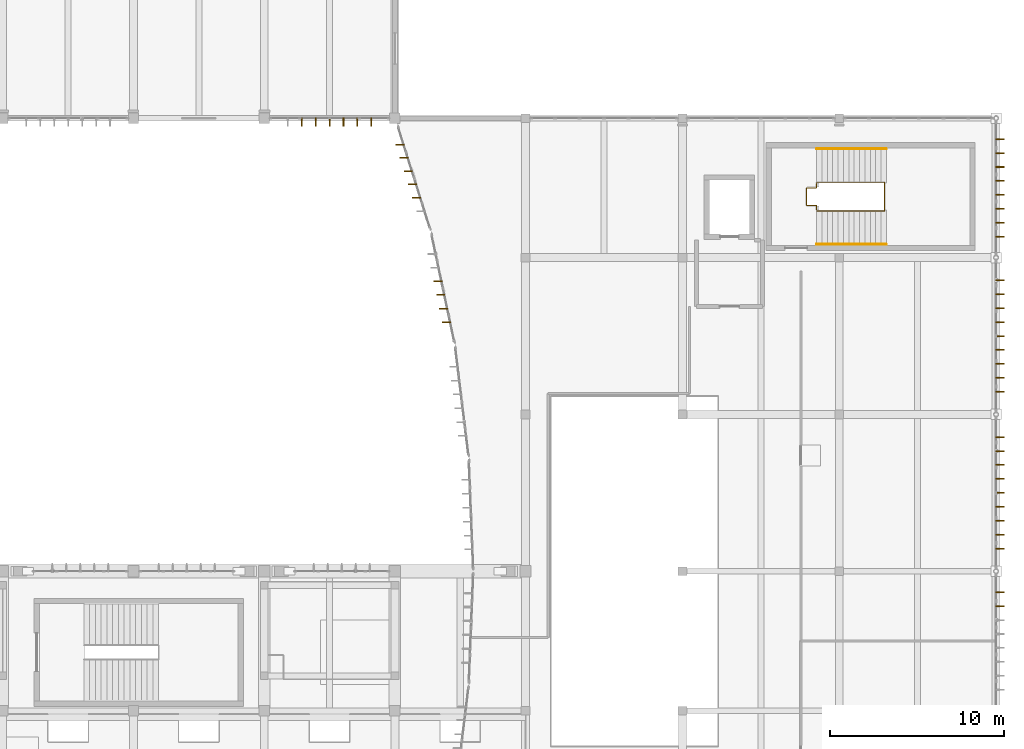
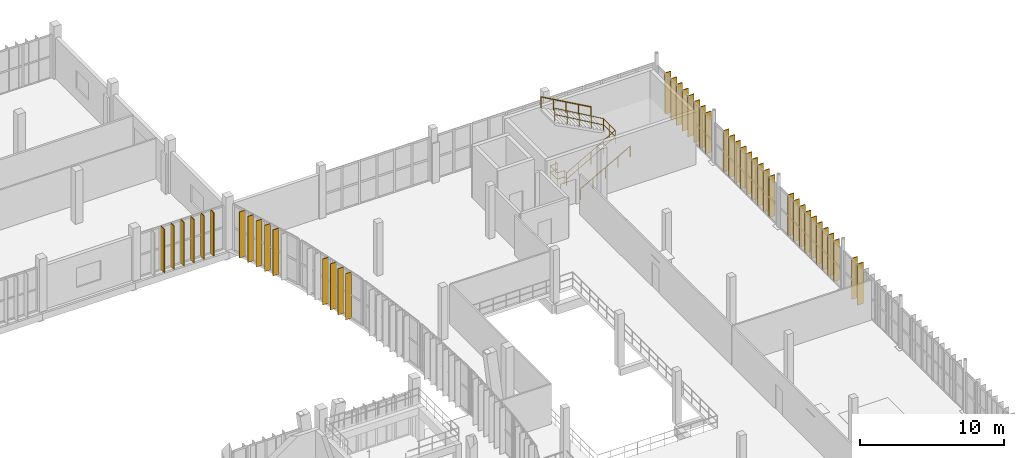
# One storey, part 80 of 81: 43 shading devices, 4 railings.
"""IFC4 building model written with IfcOpenShell, lengths in metres."""

import ifcopenshell
import ifcopenshell.guid

model = None  # the IFC model being written
_history = None  # IfcOwnerHistory: only IFC2X3 demands one
_inside = {}  # id of a spatial element -> (the spatial element, [elements in it])
_under = {}  # id of a project, library or spatial element -> (it, [spatial elements below it])
_declared = {}  # id of a project -> (the project, [libraries it declares])
_typed = {}  # id of a type object -> (the type object, [elements of that type])
_made_of = {}  # id of a material, layer set ... -> (it, [elements and type objects made of it])


def new_model(schema):
    """Start an empty IFC model of exactly this schema.

    Asked for "IFC4X3", IfcOpenShell would pick the latest addendum, in which some entities
    have other attributes; the version numbers below select the first issue.
    IFC2X3 requires an IfcOwnerHistory on every rooted entity: one is made here for all.
    """
    global model, _history
    if schema == "IFC4X3":
        model = ifcopenshell.file(schema_version=(4, 3, 0, 0))
    else:
        model = ifcopenshell.file(schema=schema)
    _inside.clear()
    _under.clear()
    _declared.clear()
    _typed.clear()
    _made_of.clear()
    _history = None
    if model.schema == "IFC2X3":
        org = make("IfcOrganization", Name="unknown")
        user = make(
            "IfcPersonAndOrganization",
            ThePerson=make("IfcPerson", FamilyName="unknown"),
            TheOrganization=org,
        )
        app = make(
            "IfcApplication",
            ApplicationDeveloper=org,
            Version="unknown",
            ApplicationFullName="unknown",
            ApplicationIdentifier="unknown",
        )
        _history = make(
            "IfcOwnerHistory",
            OwningUser=user,
            OwningApplication=app,
            ChangeAction="ADDED",
            CreationDate=0,
        )
    return model


def make(cls, **values):
    """One entity of the class cls with the attributes given. An attribute that is None is left unset."""
    return model.create_entity(
        cls, **{name: value for name, value in values.items() if value is not None}
    )


def rooted(cls, **values):
    """An entity with a GlobalId (a new one), such as an element, a storey or a relation."""
    return make(cls, GlobalId=ifcopenshell.guid.new(), OwnerHistory=_history, **values)


def si_unit(unit_type, name, prefix=None):
    """IfcSIUnit, for example si_unit("LENGTHUNIT", "METRE", prefix="MILLI")."""
    return make("IfcSIUnit", UnitType=unit_type, Prefix=prefix, Name=name)


def assignment(units):
    """IfcUnitAssignment: the units of a project."""
    return None if units is None else make("IfcUnitAssignment", Units=units)


def point(xyz):
    """IfcCartesianPoint."""
    return None if xyz is None else make("IfcCartesianPoint", Coordinates=xyz)


def direction(xyz):
    """IfcDirection."""
    return None if xyz is None else make("IfcDirection", DirectionRatios=xyz)


def frame(location, z_axis=None, x_axis=None):
    """IfcAxis2Placement3D, a coordinate frame: its origin and axes. An axis left out is left unset."""
    return make(
        "IfcAxis2Placement3D",
        Location=point(location),
        Axis=direction(z_axis),
        RefDirection=direction(x_axis),
    )


def frame_2d(location, x_axis=None):
    """IfcAxis2Placement2D, a coordinate frame in the plane: its origin and x axis."""
    return make(
        "IfcAxis2Placement2D", Location=point(location), RefDirection=direction(x_axis)
    )


def origin():
    """The frame at (0, 0, 0) with its axes left unset."""
    return frame((0.0, 0.0, 0.0))


def origin_2d():
    """The frame at (0, 0) in the plane with its x axis left unset."""
    return frame_2d((0.0, 0.0))


def place(relative_to, where):
    """IfcLocalPlacement: puts the frame where relative to a parent placement (None: the world)."""
    return make(
        "IfcLocalPlacement", PlacementRelTo=relative_to, RelativePlacement=where
    )


def context(
    kind, dimensions, precision=None, world=None, true_north=None, identifier=None
):
    """IfcGeometricRepresentationContext, for example the 3D "Model" context."""
    return make(
        "IfcGeometricRepresentationContext",
        ContextIdentifier=identifier,
        ContextType=kind,
        CoordinateSpaceDimension=dimensions,
        Precision=precision,
        WorldCoordinateSystem=world,
        TrueNorth=true_north,
    )


def subcontext(parent, identifier, kind, view, scale=None):
    """IfcGeometricRepresentationSubContext, for example "Body" below "Model"."""
    return make(
        "IfcGeometricRepresentationSubContext",
        ContextIdentifier=identifier,
        ContextType=kind,
        ParentContext=parent,
        TargetScale=scale,
        TargetView=view,
    )


def project(units=None, contexts=None):
    """IfcProject with its units and contexts."""
    return rooted(
        "IfcProject",
        Name="project",
        RepresentationContexts=contexts,
        UnitsInContext=assignment(units),
    )


def spatial(cls, under=None, at=None, **own):
    """A site, building, storey or space (cls), placed at a placement, below another one or the project."""
    s = rooted(cls, ObjectPlacement=at, **own)
    if under is not None:
        _under.setdefault(under.id(), (under, []))[1].append(s)
    return s


def profile(cls, at=None, kind="AREA", **sizes):
    """A parametric profile (cls). Its sizes go by their IFC names, for example OverallWidth=200.0."""
    return make(cls, ProfileType=kind, Position=at, **sizes)


def rectangle(**sizes):
    """IfcRectangleProfileDef."""
    return profile("IfcRectangleProfileDef", **sizes)


def circle(**sizes):
    """IfcCircleProfileDef."""
    return profile("IfcCircleProfileDef", **sizes)


def extrude(swept, where, along, depth):
    """IfcExtrudedAreaSolid: the profile swept, set in the frame where, extruded along a direction by depth."""
    return make(
        "IfcExtrudedAreaSolid",
        SweptArea=swept,
        Position=where,
        ExtrudedDirection=direction(along),
        Depth=depth,
    )


def shape(context_of_items, identifier, shape_type, items):
    """IfcShapeRepresentation: the items that make up one representation, for example the "Body"."""
    return make(
        "IfcShapeRepresentation",
        ContextOfItems=context_of_items,
        RepresentationIdentifier=identifier,
        RepresentationType=shape_type,
        Items=items,
    )


def material(Name=None, Category=None):
    """IfcMaterial."""
    return make("IfcMaterial", Name=Name, Category=Category)


def material_profile(
    of_material, cross_section, Name=None, Category=None, Priority=None
):
    """IfcMaterialProfile: a cross section and its material."""
    return make(
        "IfcMaterialProfile",
        Name=Name,
        Material=of_material,
        Profile=cross_section,
        Priority=Priority,
        Category=Category,
    )


def profile_set(profiles, Name=None, composite=None):
    """IfcMaterialProfileSet."""
    return make(
        "IfcMaterialProfileSet",
        Name=Name,
        MaterialProfiles=profiles,
        CompositeProfile=composite,
    )


def made_of(thing, what):
    """Note that an element or type object is made of a material, layer set ...; save() writes the relation."""
    if what is not None:
        _made_of.setdefault(what.id(), (what, []))[1].append(thing)
    return thing


def type_object(cls, material=None, **own):
    """A type object (cls), such as IfcWallType, which elements share."""
    return made_of(rooted(cls, **own), material)


def element(
    cls,
    number,
    at=None,
    inside=None,
    cuts=None,
    type_object=None,
    material=None,
    context=None,
    identifier="Body",
    shape_type=None,
    held_by="IfcProductDefinitionShape",
    body=None,
    shapes=None,
    **own,
):
    """One element of the class cls, such as IfcWall. Its Tag is "e" and its number.

    at: its placement. inside: the storey or other place that contains it. cuts: it is an
    opening in that element (IfcRelVoidsElement). A single representation is given by context,
    identifier, shape_type and body (its items); several are given by shapes. held_by: the class
    of the entity that holds the representations. save() writes the other relations.
    """
    e = rooted(cls, Tag="e%d" % number, ObjectPlacement=at, **own)
    if body is not None:
        shapes = [shape(context, identifier, shape_type, body)]
    if shapes is not None:
        e.Representation = make(held_by, Representations=shapes)
    if inside is not None:
        _inside.setdefault(inside.id(), (inside, []))[1].append(e)
    if cuts is not None:
        rooted(
            "IfcRelVoidsElement", RelatingBuildingElement=cuts, RelatedOpeningElement=e
        )
    if type_object is not None:
        _typed.setdefault(type_object.id(), (type_object, []))[1].append(e)
    return made_of(e, material)


def aggregate(whole, parts):
    """IfcRelAggregates: a whole, such as a stair, and the parts it consists of."""
    return rooted("IfcRelAggregates", RelatingObject=whole, RelatedObjects=parts)


def save(model, path):
    """Write the relations noted so far, then the file.

    IfcRelAggregates (storeys below a building ...), IfcRelContainedInSpatialStructure (elements
    in a storey), IfcRelDefinesByType, IfcRelAssociatesMaterial and IfcRelDeclares: one each for
    every whole, place, type object, material and project.
    """
    for whole, parts in _under.values():
        aggregate(whole, parts)
    for where, things in _inside.values():
        rooted(
            "IfcRelContainedInSpatialStructure",
            RelatedElements=things,
            RelatingStructure=where,
        )
    for kind, things in _typed.values():
        rooted("IfcRelDefinesByType", RelatedObjects=things, RelatingType=kind)
    for what, things in _made_of.values():
        rooted("IfcRelAssociatesMaterial", RelatedObjects=things, RelatingMaterial=what)
    for by, libraries in _declared.values():
        rooted("IfcRelDeclares", RelatingContext=by, RelatedDefinitions=libraries)
    model.write(path)


model = new_model("IFC4")

# Units and contexts
model_context = context("Model", 3, precision=1e-05, world=origin(), true_north=direction((0.0, 1.0)))
body_context = subcontext(model_context, "Body", "Model", "MODEL_VIEW")
ifc_project = project(units=[si_unit("LENGTHUNIT", "METRE"), si_unit("AREAUNIT", "SQUARE_METRE"), si_unit("VOLUMEUNIT", "CUBIC_METRE"), si_unit("PLANEANGLEUNIT", "RADIAN"), si_unit("MASSUNIT", "GRAM", prefix="KILO")], contexts=[model_context])

# Site, building, storey
site_placement = place(None, origin())
site = spatial("IfcSite", under=ifc_project, at=site_placement, CompositionType="ELEMENT")
building_placement = place(site_placement, origin())
building = spatial("IfcBuilding", under=site, at=building_placement, Name="Vourika Railside Aquatics Centre", CompositionType="ELEMENT")
storey_placement = place(building_placement, frame((0.0, 0.0, 4.800048828125)))
storey = spatial("IfcBuildingStorey", under=building, at=storey_placement, Name="L01", CompositionType="ELEMENT", Elevation=4.800048828125)

# Railings
ifc_material_1 = material(Name="Duplex stainless steel EN 1.4462", Category="steel")
railing_type_1 = type_object("IfcRailingType", Name="RL-HAND-920", PredefinedType="HANDRAIL", material=ifc_material_1)
railing_1_placement = place(storey_placement, frame((157.699951171875, 84.760009765625, 0.0)))
element("IfcRailing", 1, at=railing_1_placement, inside=storey, type_object=railing_type_1, Name="Protected Exit Stair Core ST05 Lower Wall Handrail (L01)", PredefinedType="HANDRAIL", context=body_context, shape_type="SweptSolid", body=[
    extrude(circle(Radius=0.02392578125, at=origin_2d()), frame((0.0, 0.0, 0.89599609375), z_axis=(0.871792645139, 0.0, 0.489875069667), x_axis=(0.0, 1.0, 0.0)), (0.0, 0.0, 1.0), 4.593017578125),
    extrude(circle(Radius=0.02099609375, at=origin_2d()), origin(), (0.0, 0.0, 1.0), 0.871826171875),
    extrude(circle(Radius=0.02099609375, at=origin_2d()), frame((1.0009765625, 0.0, 0.5625)), (0.0, 0.0, 1.0), 0.871826171875),
    extrude(circle(Radius=0.02099609375, at=origin_2d()), frame((2.001953125, 0.0, 1.125)), (0.0, 0.0, 1.0), 0.871826171875),
    extrude(circle(Radius=0.02099609375, at=origin_2d()), frame((3.003173828125, 0.0, 1.6875)), (0.0, 0.0, 1.0), 0.871826171875),
    extrude(circle(Radius=0.02099609375, at=origin_2d()), frame((4.004150390625, 0.0, 2.25)), (0.0, 0.0, 1.0), 0.871826171875),
])
railing_2_placement = place(storey_placement, frame((161.7041015625, 90.239990234375, 2.25)))
element("IfcRailing", 2, at=railing_2_placement, inside=storey, type_object=railing_type_1, Name="Protected Exit Stair Core ST05 Upper Wall Handrail (L01)", PredefinedType="HANDRAIL", context=body_context, shape_type="SweptSolid", body=[
    extrude(circle(Radius=0.02392578125, at=origin_2d()), frame((0.0, 0.0, 0.89599609375), z_axis=(-0.871792645139, 0.0, 0.489875069667), x_axis=(0.0, -1.0, 0.0)), (0.0, 0.0, 1.0), 4.593017578125),
    extrude(circle(Radius=0.02099609375, at=origin_2d()), origin(), (0.0, 0.0, 1.0), 0.871826171875),
    extrude(circle(Radius=0.02099609375, at=origin_2d()), frame((-1.0009765625, 0.0, 0.5625)), (0.0, 0.0, 1.0), 0.871826171875),
    extrude(circle(Radius=0.02099609375, at=origin_2d()), frame((-2.001953125, 0.0, 1.125)), (0.0, 0.0, 1.0), 0.871826171875),
    extrude(circle(Radius=0.02099609375, at=origin_2d()), frame((-3.003173828125, 0.0, 1.6875)), (0.0, 0.0, 1.0), 0.871826171875),
    extrude(circle(Radius=0.02099609375, at=origin_2d()), frame((-4.004150390625, 0.0, 2.25)), (0.0, 0.0, 1.0), 0.871826171875),
])
railing_type_2 = type_object("IfcRailingType", Name="RL-STAIR-1120", PredefinedType="BALUSTRADE", material=ifc_material_1)
railing_3_placement = place(storey_placement, frame((157.699951171875, 86.75, 0.0)))
element("IfcRailing", 3, at=railing_3_placement, inside=storey, type_object=railing_type_2, Name="Protected Exit Stair Core ST05 Well Edge Guard (L01)", PredefinedType="BALUSTRADE", context=body_context, shape_type="SweptSolid", body=[
    extrude(circle(Radius=0.02392578125, at=origin_2d()), frame((0.0, 0.0, 1.09619140625), z_axis=(0.0, 1.0, 0.0), x_axis=(-1.0, 0.0, 0.0)), (0.0, 0.0, 1.0), 0.25),
    extrude(circle(Radius=0.02392578125, at=origin_2d()), frame((0.0, 0.0, 0.56005859375), z_axis=(0.0, 1.0, 0.0), x_axis=(-1.0, 0.0, 0.0)), (0.0, 0.0, 1.0), 0.25),
    extrude(circle(Radius=0.02392578125, at=origin_2d()), frame((0.0, 0.25, 1.09619140625), z_axis=(-1.0, 0.0, 0.0), x_axis=(0.0, -1.0, 0.0)), (0.0, 0.0, 1.0), 0.570068359375),
    extrude(circle(Radius=0.02392578125, at=origin_2d()), frame((0.0, 0.25, 0.56005859375), z_axis=(-1.0, 0.0, 0.0), x_axis=(0.0, -1.0, 0.0)), (0.0, 0.0, 1.0), 0.570068359375),
    extrude(circle(Radius=0.02392578125, at=origin_2d()), frame((-0.570068359375, 0.25, 1.09619140625), z_axis=(0.0, 1.0, 0.0), x_axis=(-1.0, 0.0, 0.0)), (0.0, 0.0, 1.0), 1.0),
    extrude(circle(Radius=0.02392578125, at=origin_2d()), frame((-0.570068359375, 0.25, 0.56005859375), z_axis=(0.0, 1.0, 0.0), x_axis=(-1.0, 0.0, 0.0)), (0.0, 0.0, 1.0), 1.0),
    extrude(circle(Radius=0.02392578125, at=origin_2d()), frame((-0.570068359375, 1.25, 1.09619140625), z_axis=(1.0, 0.0, 0.0), x_axis=(0.0, 1.0, 0.0)), (0.0, 0.0, 1.0), 0.570068359375),
    extrude(circle(Radius=0.02392578125, at=origin_2d()), frame((-0.570068359375, 1.25, 0.56005859375), z_axis=(1.0, 0.0, 0.0), x_axis=(0.0, 1.0, 0.0)), (0.0, 0.0, 1.0), 0.570068359375),
    extrude(circle(Radius=0.02392578125, at=origin_2d()), frame((0.0, 1.25, 1.09619140625), z_axis=(0.0, 1.0, 0.0), x_axis=(-1.0, 0.0, 0.0)), (0.0, 0.0, 1.0), 0.25),
    extrude(circle(Radius=0.02392578125, at=origin_2d()), frame((0.0, 1.25, 0.56005859375), z_axis=(0.0, 1.0, 0.0), x_axis=(-1.0, 0.0, 0.0)), (0.0, 0.0, 1.0), 0.25),
    extrude(circle(Radius=0.02099609375, at=origin_2d()), origin(), (0.0, 0.0, 1.0), 1.072021484375),
    extrude(circle(Radius=0.02099609375, at=origin_2d()), frame((0.0, 0.25, 0.0)), (0.0, 0.0, 1.0), 1.072021484375),
    extrude(circle(Radius=0.02099609375, at=origin_2d()), frame((-0.570068359375, 0.25, 0.0)), (0.0, 0.0, 1.0), 1.072021484375),
    extrude(circle(Radius=0.02099609375, at=origin_2d()), frame((-0.570068359375, 1.25, 0.0)), (0.0, 0.0, 1.0), 1.072021484375),
    extrude(circle(Radius=0.02099609375, at=origin_2d()), frame((0.0, 1.25, 0.0)), (0.0, 0.0, 1.0), 1.072021484375),
    extrude(circle(Radius=0.02099609375, at=origin_2d()), frame((0.0, 1.5, 0.0)), (0.0, 0.0, 1.0), 1.072021484375),
])
railing_4_placement = place(storey_placement, frame((157.699951171875, 86.679931640625, 0.0)))
element("IfcRailing", 4, at=railing_4_placement, inside=storey, type_object=railing_type_2, Name="Protected Exit Stair Core ST05 Center Well Guard (L01)", PredefinedType="BALUSTRADE", context=body_context, shape_type="SweptSolid", body=[
    extrude(circle(Radius=0.02392578125, at=origin_2d()), frame((0.0, 0.0, 1.09619140625), z_axis=(0.866410100601, 0.0, 0.499333092811), x_axis=(0.0, 1.0, 0.0)), (0.0, 0.0, 1.0), 4.506103515625),
    extrude(circle(Radius=0.02392578125, at=origin_2d()), frame((0.0, 0.0, 0.56005859375), z_axis=(0.866410100601, 0.0, 0.499333092811), x_axis=(0.0, 1.0, 0.0)), (0.0, 0.0, 1.0), 4.506103515625),
    extrude(circle(Radius=0.02392578125, at=origin_2d()), frame((3.904052734375, 0.0, 3.34619140625), z_axis=(0.0, 1.0, 0.0), x_axis=(-1.0, 0.0, 0.0)), (0.0, 0.0, 1.0), 1.64013671875),
    extrude(circle(Radius=0.02392578125, at=origin_2d()), frame((3.904052734375, 0.0, 2.81005859375), z_axis=(0.0, 1.0, 0.0), x_axis=(-1.0, 0.0, 0.0)), (0.0, 0.0, 1.0), 1.64013671875),
    extrude(circle(Radius=0.02392578125, at=origin_2d()), frame((3.904052734375, 1.64013671875, 3.34619140625), z_axis=(-0.866410100601, 0.0, 0.499333092811), x_axis=(0.0, -1.0, 0.0)), (0.0, 0.0, 1.0), 4.506103515625),
    extrude(circle(Radius=0.02392578125, at=origin_2d()), frame((3.904052734375, 1.64013671875, 2.81005859375), z_axis=(-0.866410100601, 0.0, 0.499333092811), x_axis=(0.0, -1.0, 0.0)), (0.0, 0.0, 1.0), 4.506103515625),
    extrude(circle(Radius=0.02099609375, at=origin_2d()), origin(), (0.0, 0.0, 1.0), 1.072021484375),
    extrude(circle(Radius=0.02099609375, at=origin_2d()), frame((0.97607421875, 0.0, 0.5625)), (0.0, 0.0, 1.0), 1.072021484375),
    extrude(circle(Radius=0.02099609375, at=origin_2d()), frame((1.9521484375, 0.0, 1.125)), (0.0, 0.0, 1.0), 1.072021484375),
    extrude(circle(Radius=0.02099609375, at=origin_2d()), frame((2.927978515625, 0.0, 1.6875)), (0.0, 0.0, 1.0), 1.072021484375),
    extrude(circle(Radius=0.02099609375, at=origin_2d()), frame((3.904052734375, 0.0, 2.25)), (0.0, 0.0, 1.0), 1.072021484375),
    extrude(circle(Radius=0.02099609375, at=origin_2d()), frame((3.904052734375, 0.820068359375, 2.25)), (0.0, 0.0, 1.0), 1.072021484375),
    extrude(circle(Radius=0.02099609375, at=origin_2d()), frame((3.904052734375, 1.64013671875, 2.25)), (0.0, 0.0, 1.0), 1.072021484375),
    extrude(circle(Radius=0.02099609375, at=origin_2d()), frame((2.927978515625, 1.64013671875, 2.8125)), (0.0, 0.0, 1.0), 1.072021484375),
    extrude(circle(Radius=0.02099609375, at=origin_2d()), frame((1.9521484375, 1.64013671875, 3.375)), (0.0, 0.0, 1.0), 1.072021484375),
    extrude(circle(Radius=0.02099609375, at=origin_2d()), frame((0.97607421875, 1.64013671875, 3.9375)), (0.0, 0.0, 1.0), 1.072021484375),
    extrude(circle(Radius=0.02099609375, at=origin_2d()), frame((0.0, 1.64013671875, 4.5)), (0.0, 0.0, 1.0), 1.072021484375),
])

# Shading devices
ifc_material_2 = material(Name="Bronze-anodized extruded aluminium", Category="aluminium")
ifc_material_profile = material_profile(ifc_material_2, rectangle(XDim=0.06005859375, YDim=0.47998046875, at=origin_2d()), Name="ALU-FIN 60x480")
ifc_profile_set = profile_set([ifc_material_profile], Name="Bronze-anodized extruded aluminium")
shading_device_type = type_object("IfcShadingDeviceType", Name="SHD-FIN-F48A", PredefinedType="USERDEFINED", material=ifc_profile_set)
for number, where, z_axis, x_axis, name in (
    (5, (136.462158203125, 80.293701171875, 0.0), (0.0, 0.0, 1.0), (0.0, 1.0, 0.0), "Vertical Solar Fin VSF-0436"),
    (6, (136.296142578125, 81.076171875, 0.0), (0.0, 0.0, 1.0), (0.0, 1.0, 0.0), "Vertical Solar Fin VSF-0437"),
    (7, (136.1298828125, 81.858642578125, 0.0), (0.0, 0.0, 1.0), (0.0, 1.0, 0.0), "Vertical Solar Fin VSF-0438"),
    (8, (135.964111328125, 82.641357421875, 0.0), (0.0, 0.0, 1.0), (0.0, 1.0, 0.0), "Vertical Solar Fin VSF-0439"),
    (9, (134.74951171875, 87.435302734375, 0.0), (0.0, 0.0, 1.0), (0.0, 1.0, 0.0), "Vertical Solar Fin VSF-0443"),
    (10, (134.509521484375, 88.198486328125, 0.0), (0.0, 0.0, 1.0), (0.0, 1.0, 0.0), "Vertical Solar Fin VSF-0444"),
    (11, (134.26953125, 88.961669921875, 0.0), (0.0, 0.0, 1.0), (0.0, 1.0, 0.0), "Vertical Solar Fin VSF-0445"),
    (12, (134.029541015625, 89.724609375, 0.0), (0.0, 0.0, 1.0), (0.0, 1.0, 0.0), "Vertical Solar Fin VSF-0446"),
    (13, (133.78955078125, 90.48779296875, 0.0), (0.0, 0.0, 1.0), (0.0, 1.0, 0.0), "Vertical Solar Fin VSF-0447"),
):
    element("IfcShadingDevice", number, at=place(storey_placement, frame(where, z_axis=z_axis, x_axis=x_axis)), inside=storey, type_object=shading_device_type, Name=name, ObjectType="FIN", PredefinedType="USERDEFINED", context=body_context, shape_type="SweptSolid", body=[
        extrude(rectangle(XDim=0.06005859375, YDim=0.47998046875, at=origin_2d()), origin(), (0.0, 0.0, 1.0), 3.919921875),
    ])
for number, where, z_axis, x_axis, name in (
    (14, (168.215087890625, 64.0, 0.0), (0.0, 0.0, 1.0), (0.0, -1.0, 0.0), "Vertical Solar Fin VSF-0472"),
    (15, (168.215087890625, 64.800048828125, 0.0), (0.0, 0.0, 1.0), (0.0, -1.0, 0.0), "Vertical Solar Fin VSF-0473"),
    (16, (168.215087890625, 67.300048828125, 0.0), (0.0, 0.0, 1.0), (0.0, -1.0, 0.0), "Vertical Solar Fin VSF-0474"),
    (17, (168.215087890625, 68.10009765625, 0.0), (0.0, 0.0, 1.0), (0.0, -1.0, 0.0), "Vertical Solar Fin VSF-0475"),
    (18, (168.215087890625, 68.89990234375, 0.0), (0.0, 0.0, 1.0), (0.0, -1.0, 0.0), "Vertical Solar Fin VSF-0476"),
    (19, (168.215087890625, 69.699951171875, 0.0), (0.0, 0.0, 1.0), (0.0, -1.0, 0.0), "Vertical Solar Fin VSF-0477"),
    (20, (168.215087890625, 70.5, 0.0), (0.0, 0.0, 1.0), (0.0, -1.0, 0.0), "Vertical Solar Fin VSF-0478"),
    (21, (168.215087890625, 71.300048828125, 0.0), (0.0, 0.0, 1.0), (0.0, -1.0, 0.0), "Vertical Solar Fin VSF-0479"),
    (22, (168.215087890625, 72.10009765625, 0.0), (0.0, 0.0, 1.0), (0.0, -1.0, 0.0), "Vertical Solar Fin VSF-0480"),
    (23, (168.215087890625, 72.89990234375, 0.0), (0.0, 0.0, 1.0), (0.0, -1.0, 0.0), "Vertical Solar Fin VSF-0481"),
    (24, (168.215087890625, 73.699951171875, 0.0), (0.0, 0.0, 1.0), (0.0, -1.0, 0.0), "Vertical Solar Fin VSF-0482"),
    (25, (168.215087890625, 76.300048828125, 0.0), (0.0, 0.0, 1.0), (0.0, -1.0, 0.0), "Vertical Solar Fin VSF-0483"),
    (26, (168.215087890625, 77.10009765625, 0.0), (0.0, 0.0, 1.0), (0.0, -1.0, 0.0), "Vertical Solar Fin VSF-0484"),
    (27, (168.215087890625, 77.89990234375, 0.0), (0.0, 0.0, 1.0), (0.0, -1.0, 0.0), "Vertical Solar Fin VSF-0485"),
    (28, (168.215087890625, 78.699951171875, 0.0), (0.0, 0.0, 1.0), (0.0, -1.0, 0.0), "Vertical Solar Fin VSF-0486"),
    (29, (168.215087890625, 79.5, 0.0), (0.0, 0.0, 1.0), (0.0, -1.0, 0.0), "Vertical Solar Fin VSF-0487"),
    (30, (168.215087890625, 80.300048828125, 0.0), (0.0, 0.0, 1.0), (0.0, -1.0, 0.0), "Vertical Solar Fin VSF-0488"),
    (31, (168.215087890625, 81.10009765625, 0.0), (0.0, 0.0, 1.0), (0.0, -1.0, 0.0), "Vertical Solar Fin VSF-0489"),
    (32, (168.215087890625, 81.89990234375, 0.0), (0.0, 0.0, 1.0), (0.0, -1.0, 0.0), "Vertical Solar Fin VSF-0490"),
    (33, (168.215087890625, 82.699951171875, 0.0), (0.0, 0.0, 1.0), (0.0, -1.0, 0.0), "Vertical Solar Fin VSF-0491"),
    (34, (168.215087890625, 85.199951171875, 0.0), (0.0, 0.0, 1.0), (0.0, -1.0, 0.0), "Vertical Solar Fin VSF-0492"),
    (35, (168.215087890625, 86.0, 0.0), (0.0, 0.0, 1.0), (0.0, -1.0, 0.0), "Vertical Solar Fin VSF-0493"),
    (36, (168.215087890625, 86.800048828125, 0.0), (0.0, 0.0, 1.0), (0.0, -1.0, 0.0), "Vertical Solar Fin VSF-0494"),
    (37, (168.215087890625, 87.60009765625, 0.0), (0.0, 0.0, 1.0), (0.0, -1.0, 0.0), "Vertical Solar Fin VSF-0495"),
    (38, (168.215087890625, 88.39990234375, 0.0), (0.0, 0.0, 1.0), (0.0, -1.0, 0.0), "Vertical Solar Fin VSF-0496"),
    (39, (168.215087890625, 89.199951171875, 0.0), (0.0, 0.0, 1.0), (0.0, -1.0, 0.0), "Vertical Solar Fin VSF-0497"),
    (40, (168.215087890625, 90.0, 0.0), (0.0, 0.0, 1.0), (0.0, -1.0, 0.0), "Vertical Solar Fin VSF-0498"),
    (41, (168.215087890625, 90.800048828125, 0.0), (0.0, 0.0, 1.0), (0.0, -1.0, 0.0), "Vertical Solar Fin VSF-0499"),
):
    element("IfcShadingDevice", number, at=place(storey_placement, frame(where, z_axis=z_axis, x_axis=x_axis)), inside=storey, type_object=shading_device_type, Name=name, ObjectType="FIN", PredefinedType="USERDEFINED", context=body_context, shape_type="SweptSolid", body=[
        extrude(rectangle(XDim=0.06005859375, YDim=0.47998046875, at=origin_2d()), origin(), (0.0, 0.0, 1.0), 3.5),
    ])
for number, where, z_axis, x_axis, name in (
    (42, (128.14990234375, 91.784912109375, 0.0), (0.0, 0.0, 1.0), (-1.0, 0.0, 0.0), "Vertical Solar Fin VSF-0825"),
    (43, (128.949951171875, 91.784912109375, 0.0), (0.0, 0.0, 1.0), (-1.0, 0.0, 0.0), "Vertical Solar Fin VSF-0826"),
    (44, (129.75, 91.784912109375, 0.0), (0.0, 0.0, 1.0), (-1.0, 0.0, 0.0), "Vertical Solar Fin VSF-0827"),
    (45, (130.550048828125, 91.784912109375, 0.0), (0.0, 0.0, 1.0), (-1.0, 0.0, 0.0), "Vertical Solar Fin VSF-0828"),
    (46, (131.35009765625, 91.784912109375, 0.0), (0.0, 0.0, 1.0), (-1.0, 0.0, 0.0), "Vertical Solar Fin VSF-0829"),
    (47, (132.14990234375, 91.784912109375, 0.0), (0.0, 0.0, 1.0), (-1.0, 0.0, 0.0), "Vertical Solar Fin VSF-0830"),
):
    element("IfcShadingDevice", number, at=place(storey_placement, frame(where, z_axis=z_axis, x_axis=x_axis)), inside=storey, type_object=shading_device_type, Name=name, ObjectType="FIN", PredefinedType="USERDEFINED", context=body_context, shape_type="SweptSolid", body=[
        extrude(rectangle(XDim=0.06005859375, YDim=0.47998046875, at=origin_2d()), origin(), (0.0, 0.0, 1.0), 3.699951171875),
    ])

save(model, "model.ifc")
